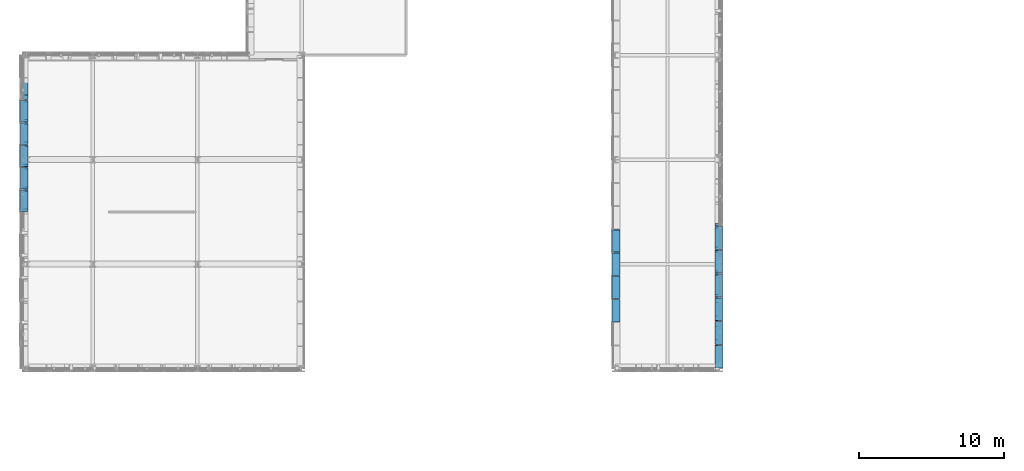
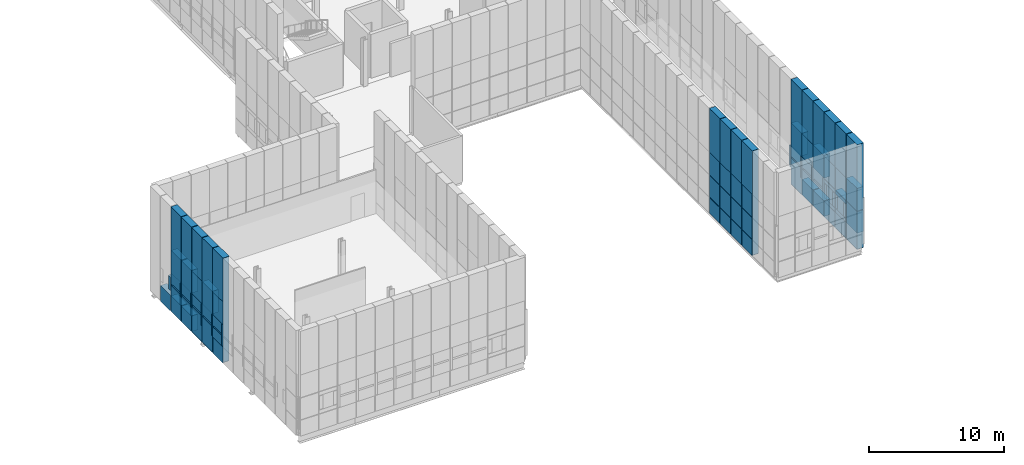
# One storey, part 109 of 144: 77 discrete accessories.
"""IFC4 building model written with IfcOpenShell, lengths in metres."""

from ifc_helpers import new_model, si_unit, direction, frame, origin, origin_2d, place, context, subcontext, project, spatial, rectangle, extrude, material, type_object, element, save


model = new_model("IFC4")

# Units and contexts
model_context = context("Model", 3, precision=1e-05, world=origin(), true_north=direction((0.0, 1.0)))
body_context = subcontext(model_context, "Body", "Model", "MODEL_VIEW")
ifc_project = project(units=[si_unit("LENGTHUNIT", "METRE"), si_unit("AREAUNIT", "SQUARE_METRE"), si_unit("VOLUMEUNIT", "CUBIC_METRE"), si_unit("PLANEANGLEUNIT", "RADIAN"), si_unit("MASSUNIT", "GRAM", prefix="KILO")], contexts=[model_context])

# Site, building, storey
site_placement = place(None, origin())
site = spatial("IfcSite", under=ifc_project, at=site_placement, CompositionType="ELEMENT")
building_placement = place(site_placement, origin())
building = spatial("IfcBuilding", under=site, at=building_placement, Name="Yarey Park Central Fire Station", CompositionType="ELEMENT")
storey_placement = place(building_placement, frame((0.0, 0.0, 10.199951171875)))
storey = spatial("IfcBuildingStorey", under=building, at=storey_placement, Name="L03", CompositionType="ELEMENT", Elevation=10.199951171875)

# Discrete accessories
ifc_material = material(Name="Stainless Steel AISI 316L", Category="steel")
discrete_accessory_type = type_object("IfcDiscreteAccessoryType", Name="ENV_BRK_SS1", PredefinedType="BRACKET", material=ifc_material)
discrete_accessory_1_placement = place(storey_placement, frame((9.64990234375, 33.17138671875, -0.494873046875), z_axis=(0.0, 0.0, 1.0), x_axis=(1.0, 0.0, 0.0)))
element("IfcDiscreteAccessory", 1, at=discrete_accessory_1_placement, inside=storey, type_object=discrete_accessory_type, Name="BRK_PERF_L03_0052", PredefinedType="BRACKET", context=body_context, shape_type="SweptSolid", body=[
    extrude(rectangle(XDim=0.5400390625, YDim=1.48291015625, at=origin_2d()), origin(), (0.0, 0.0, 1.0), 1.419921875),
])
discrete_accessory_2_placement = place(storey_placement, frame((9.64990234375, 32.510009765625, 0.97509765625), z_axis=(0.0, 0.0, 1.0), x_axis=(1.0, 0.0, 0.0)))
element("IfcDiscreteAccessory", 2, at=discrete_accessory_2_placement, inside=storey, type_object=discrete_accessory_type, Name="BRK_PERF_L03_0053", PredefinedType="BRACKET", context=body_context, shape_type="SweptSolid", body=[
    extrude(rectangle(XDim=0.5400390625, YDim=0.159912109375, at=origin_2d()), origin(), (0.0, 0.0, 1.0), 1.949951171875),
])
discrete_accessory_3_placement = place(storey_placement, frame((9.64990234375, 33.17138671875, 1.8701171875), z_axis=(0.0, 0.0, 1.0), x_axis=(1.0, 0.0, 0.0)))
element("IfcDiscreteAccessory", 3, at=discrete_accessory_3_placement, inside=storey, type_object=discrete_accessory_type, Name="BRK_PERF_L03_0054", PredefinedType="BRACKET", context=body_context, shape_type="SweptSolid", body=[
    extrude(rectangle(XDim=0.5400390625, YDim=1.282958984375, at=origin_2d()), origin(), (0.0, 0.0, 1.0), 0.159912109375),
])
discrete_accessory_4_placement = place(storey_placement, frame((9.64990234375, 33.17138671875, 2.97509765625), z_axis=(0.0, 0.0, 1.0), x_axis=(1.0, 0.0, 0.0)))
element("IfcDiscreteAccessory", 4, at=discrete_accessory_4_placement, inside=storey, type_object=discrete_accessory_type, Name="BRK_PERF_L03_0055", PredefinedType="BRACKET", context=body_context, shape_type="SweptSolid", body=[
    extrude(rectangle(XDim=0.5400390625, YDim=1.48291015625, at=origin_2d()), origin(), (0.0, 0.0, 1.0), 2.050048828125),
])
discrete_accessory_5_placement = place(storey_placement, frame((9.64990234375, 33.17138671875, -0.4599609375), z_axis=(0.0, 0.0, 1.0), x_axis=(1.0, 0.0, 0.0)))
element("IfcDiscreteAccessory", 5, at=discrete_accessory_5_placement, inside=storey, type_object=discrete_accessory_type, Name="BRK_RAIL_L03_0058", PredefinedType="BRACKET", context=body_context, shape_type="SweptSolid", body=[
    extrude(rectangle(XDim=0.5400390625, YDim=1.5029296875, at=origin_2d()), origin(), (0.0, 0.0, 1.0), 9.419921875),
])
discrete_accessory_6_placement = place(storey_placement, frame((9.64990234375, 34.71435546875, -0.494873046875), z_axis=(0.0, 0.0, 1.0), x_axis=(1.0, 0.0, 0.0)))
element("IfcDiscreteAccessory", 6, at=discrete_accessory_6_placement, inside=storey, type_object=discrete_accessory_type, Name="BRK_PERF_L03_0059", PredefinedType="BRACKET", context=body_context, shape_type="SweptSolid", body=[
    extrude(rectangle(XDim=0.5400390625, YDim=1.48291015625, at=origin_2d()), origin(), (0.0, 0.0, 1.0), 1.419921875),
])
discrete_accessory_7_placement = place(storey_placement, frame((9.64990234375, 34.052978515625, 0.97509765625), z_axis=(0.0, 0.0, 1.0), x_axis=(1.0, 0.0, 0.0)))
element("IfcDiscreteAccessory", 7, at=discrete_accessory_7_placement, inside=storey, type_object=discrete_accessory_type, Name="BRK_PERF_L03_0060", PredefinedType="BRACKET", context=body_context, shape_type="SweptSolid", body=[
    extrude(rectangle(XDim=0.5400390625, YDim=0.159912109375, at=origin_2d()), origin(), (0.0, 0.0, 1.0), 1.949951171875),
])
discrete_accessory_8_placement = place(storey_placement, frame((9.64990234375, 34.71435546875, 1.8701171875), z_axis=(0.0, 0.0, 1.0), x_axis=(1.0, 0.0, 0.0)))
element("IfcDiscreteAccessory", 8, at=discrete_accessory_8_placement, inside=storey, type_object=discrete_accessory_type, Name="BRK_PERF_L03_0061", PredefinedType="BRACKET", context=body_context, shape_type="SweptSolid", body=[
    extrude(rectangle(XDim=0.5400390625, YDim=1.282958984375, at=origin_2d()), origin(), (0.0, 0.0, 1.0), 0.159912109375),
])
discrete_accessory_9_placement = place(storey_placement, frame((9.64990234375, 34.71435546875, 2.97509765625), z_axis=(0.0, 0.0, 1.0), x_axis=(1.0, 0.0, 0.0)))
element("IfcDiscreteAccessory", 9, at=discrete_accessory_9_placement, inside=storey, type_object=discrete_accessory_type, Name="BRK_PERF_L03_0062", PredefinedType="BRACKET", context=body_context, shape_type="SweptSolid", body=[
    extrude(rectangle(XDim=0.5400390625, YDim=1.48291015625, at=origin_2d()), origin(), (0.0, 0.0, 1.0), 2.050048828125),
])
discrete_accessory_10_placement = place(storey_placement, frame((9.64990234375, 34.71435546875, -0.4599609375), z_axis=(0.0, 0.0, 1.0), x_axis=(1.0, 0.0, 0.0)))
element("IfcDiscreteAccessory", 10, at=discrete_accessory_10_placement, inside=storey, type_object=discrete_accessory_type, Name="BRK_RAIL_L03_0065", PredefinedType="BRACKET", context=body_context, shape_type="SweptSolid", body=[
    extrude(rectangle(XDim=0.5400390625, YDim=1.5029296875, at=origin_2d()), origin(), (0.0, 0.0, 1.0), 9.419921875),
])
discrete_accessory_11_placement = place(storey_placement, frame((9.64990234375, 36.257080078125, -0.494873046875), z_axis=(0.0, 0.0, 1.0), x_axis=(1.0, 0.0, 0.0)))
element("IfcDiscreteAccessory", 11, at=discrete_accessory_11_placement, inside=storey, type_object=discrete_accessory_type, Name="BRK_PERF_L03_0066", PredefinedType="BRACKET", context=body_context, shape_type="SweptSolid", body=[
    extrude(rectangle(XDim=0.5400390625, YDim=1.48291015625, at=origin_2d()), origin(), (0.0, 0.0, 1.0), 1.419921875),
])
discrete_accessory_12_placement = place(storey_placement, frame((9.64990234375, 35.595703125, 0.97509765625), z_axis=(0.0, 0.0, 1.0), x_axis=(1.0, 0.0, 0.0)))
element("IfcDiscreteAccessory", 12, at=discrete_accessory_12_placement, inside=storey, type_object=discrete_accessory_type, Name="BRK_PERF_L03_0067", PredefinedType="BRACKET", context=body_context, shape_type="SweptSolid", body=[
    extrude(rectangle(XDim=0.5400390625, YDim=0.159912109375, at=origin_2d()), origin(), (0.0, 0.0, 1.0), 1.949951171875),
])
discrete_accessory_13_placement = place(storey_placement, frame((9.64990234375, 36.257080078125, 1.8701171875), z_axis=(0.0, 0.0, 1.0), x_axis=(1.0, 0.0, 0.0)))
element("IfcDiscreteAccessory", 13, at=discrete_accessory_13_placement, inside=storey, type_object=discrete_accessory_type, Name="BRK_PERF_L03_0068", PredefinedType="BRACKET", context=body_context, shape_type="SweptSolid", body=[
    extrude(rectangle(XDim=0.5400390625, YDim=1.282958984375, at=origin_2d()), origin(), (0.0, 0.0, 1.0), 0.159912109375),
])
discrete_accessory_14_placement = place(storey_placement, frame((9.64990234375, 36.257080078125, 2.97509765625), z_axis=(0.0, 0.0, 1.0), x_axis=(1.0, 0.0, 0.0)))
element("IfcDiscreteAccessory", 14, at=discrete_accessory_14_placement, inside=storey, type_object=discrete_accessory_type, Name="BRK_PERF_L03_0069", PredefinedType="BRACKET", context=body_context, shape_type="SweptSolid", body=[
    extrude(rectangle(XDim=0.5400390625, YDim=1.48291015625, at=origin_2d()), origin(), (0.0, 0.0, 1.0), 2.050048828125),
])
discrete_accessory_15_placement = place(storey_placement, frame((9.64990234375, 36.257080078125, -0.4599609375), z_axis=(0.0, 0.0, 1.0), x_axis=(1.0, 0.0, 0.0)))
element("IfcDiscreteAccessory", 15, at=discrete_accessory_15_placement, inside=storey, type_object=discrete_accessory_type, Name="BRK_RAIL_L03_0072", PredefinedType="BRACKET", context=body_context, shape_type="SweptSolid", body=[
    extrude(rectangle(XDim=0.5400390625, YDim=1.5029296875, at=origin_2d()), origin(), (0.0, 0.0, 1.0), 9.419921875),
])
discrete_accessory_16_placement = place(storey_placement, frame((9.64990234375, 37.800048828125, -0.494873046875), z_axis=(0.0, 0.0, 1.0), x_axis=(1.0, 0.0, 0.0)))
element("IfcDiscreteAccessory", 16, at=discrete_accessory_16_placement, inside=storey, type_object=discrete_accessory_type, Name="BRK_PERF_L03_0073", PredefinedType="BRACKET", context=body_context, shape_type="SweptSolid", body=[
    extrude(rectangle(XDim=0.5400390625, YDim=1.48291015625, at=origin_2d()), origin(), (0.0, 0.0, 1.0), 1.419921875),
])
discrete_accessory_17_placement = place(storey_placement, frame((9.64990234375, 37.138671875, 0.97509765625), z_axis=(0.0, 0.0, 1.0), x_axis=(1.0, 0.0, 0.0)))
element("IfcDiscreteAccessory", 17, at=discrete_accessory_17_placement, inside=storey, type_object=discrete_accessory_type, Name="BRK_PERF_L03_0074", PredefinedType="BRACKET", context=body_context, shape_type="SweptSolid", body=[
    extrude(rectangle(XDim=0.5400390625, YDim=0.159912109375, at=origin_2d()), origin(), (0.0, 0.0, 1.0), 1.949951171875),
])
discrete_accessory_18_placement = place(storey_placement, frame((9.64990234375, 37.800048828125, 1.8701171875), z_axis=(0.0, 0.0, 1.0), x_axis=(1.0, 0.0, 0.0)))
element("IfcDiscreteAccessory", 18, at=discrete_accessory_18_placement, inside=storey, type_object=discrete_accessory_type, Name="BRK_PERF_L03_0075", PredefinedType="BRACKET", context=body_context, shape_type="SweptSolid", body=[
    extrude(rectangle(XDim=0.5400390625, YDim=1.282958984375, at=origin_2d()), origin(), (0.0, 0.0, 1.0), 0.159912109375),
])
discrete_accessory_19_placement = place(storey_placement, frame((9.64990234375, 37.800048828125, 2.97509765625), z_axis=(0.0, 0.0, 1.0), x_axis=(1.0, 0.0, 0.0)))
element("IfcDiscreteAccessory", 19, at=discrete_accessory_19_placement, inside=storey, type_object=discrete_accessory_type, Name="BRK_PERF_L03_0076", PredefinedType="BRACKET", context=body_context, shape_type="SweptSolid", body=[
    extrude(rectangle(XDim=0.5400390625, YDim=1.48291015625, at=origin_2d()), origin(), (0.0, 0.0, 1.0), 2.050048828125),
])
discrete_accessory_20_placement = place(storey_placement, frame((9.64990234375, 37.800048828125, -0.4599609375), z_axis=(0.0, 0.0, 1.0), x_axis=(1.0, 0.0, 0.0)))
element("IfcDiscreteAccessory", 20, at=discrete_accessory_20_placement, inside=storey, type_object=discrete_accessory_type, Name="BRK_RAIL_L03_0079", PredefinedType="BRACKET", context=body_context, shape_type="SweptSolid", body=[
    extrude(rectangle(XDim=0.5400390625, YDim=1.5029296875, at=origin_2d()), origin(), (0.0, 0.0, 1.0), 9.419921875),
])
discrete_accessory_21_placement = place(storey_placement, frame((9.64990234375, 39.343017578125, -0.494873046875), z_axis=(0.0, 0.0, 1.0), x_axis=(1.0, 0.0, 0.0)))
element("IfcDiscreteAccessory", 21, at=discrete_accessory_21_placement, inside=storey, type_object=discrete_accessory_type, Name="BRK_PERF_L03_0080", PredefinedType="BRACKET", context=body_context, shape_type="SweptSolid", body=[
    extrude(rectangle(XDim=0.5400390625, YDim=1.48291015625, at=origin_2d()), origin(), (0.0, 0.0, 1.0), 1.419921875),
])
discrete_accessory_22_placement = place(storey_placement, frame((9.64990234375, 38.681396484375, 0.97509765625), z_axis=(0.0, 0.0, 1.0), x_axis=(1.0, 0.0, 0.0)))
element("IfcDiscreteAccessory", 22, at=discrete_accessory_22_placement, inside=storey, type_object=discrete_accessory_type, Name="BRK_PERF_L03_0081", PredefinedType="BRACKET", context=body_context, shape_type="SweptSolid", body=[
    extrude(rectangle(XDim=0.5400390625, YDim=0.159912109375, at=origin_2d()), origin(), (0.0, 0.0, 1.0), 1.949951171875),
])
discrete_accessory_23_placement = place(storey_placement, frame((9.64990234375, 39.343017578125, 1.8701171875), z_axis=(0.0, 0.0, 1.0), x_axis=(1.0, 0.0, 0.0)))
element("IfcDiscreteAccessory", 23, at=discrete_accessory_23_placement, inside=storey, type_object=discrete_accessory_type, Name="BRK_PERF_L03_0082", PredefinedType="BRACKET", context=body_context, shape_type="SweptSolid", body=[
    extrude(rectangle(XDim=0.5400390625, YDim=1.282958984375, at=origin_2d()), origin(), (0.0, 0.0, 1.0), 0.159912109375),
])
discrete_accessory_24_placement = place(storey_placement, frame((9.64990234375, 39.343017578125, 2.97509765625), z_axis=(0.0, 0.0, 1.0), x_axis=(1.0, 0.0, 0.0)))
element("IfcDiscreteAccessory", 24, at=discrete_accessory_24_placement, inside=storey, type_object=discrete_accessory_type, Name="BRK_PERF_L03_0083", PredefinedType="BRACKET", context=body_context, shape_type="SweptSolid", body=[
    extrude(rectangle(XDim=0.5400390625, YDim=1.48291015625, at=origin_2d()), origin(), (0.0, 0.0, 1.0), 2.050048828125),
])
discrete_accessory_25_placement = place(storey_placement, frame((9.64990234375, 39.343017578125, -0.4599609375), z_axis=(0.0, 0.0, 1.0), x_axis=(1.0, 0.0, 0.0)))
element("IfcDiscreteAccessory", 25, at=discrete_accessory_25_placement, inside=storey, type_object=discrete_accessory_type, Name="BRK_RAIL_L03_0086", PredefinedType="BRACKET", context=body_context, shape_type="SweptSolid", body=[
    extrude(rectangle(XDim=0.5400390625, YDim=1.5029296875, at=origin_2d()), origin(), (0.0, 0.0, 1.0), 9.419921875),
])
discrete_accessory_26_placement = place(storey_placement, frame((9.64990234375, 40.8857421875, -0.494873046875), z_axis=(0.0, 0.0, 1.0), x_axis=(1.0, 0.0, 0.0)))
element("IfcDiscreteAccessory", 26, at=discrete_accessory_26_placement, inside=storey, type_object=discrete_accessory_type, Name="BRK_PERF_L03_0087", PredefinedType="BRACKET", context=body_context, shape_type="SweptSolid", body=[
    extrude(rectangle(XDim=0.5400390625, YDim=1.48291015625, at=origin_2d()), origin(), (0.0, 0.0, 1.0), 1.419921875),
])
discrete_accessory_27_placement = place(storey_placement, frame((9.64990234375, 40.314208984375, 1.3349609375), z_axis=(0.0, 0.0, 1.0), x_axis=(1.0, 0.0, 0.0)))
element("IfcDiscreteAccessory", 27, at=discrete_accessory_27_placement, inside=storey, type_object=discrete_accessory_type, Name="BRK_PERF_L03_0090", PredefinedType="BRACKET", context=body_context, shape_type="SweptSolid", body=[
    extrude(rectangle(XDim=0.5400390625, YDim=0.320068359375, at=origin_2d()), origin(), (0.0, 0.0, 1.0), 1.22998046875),
])
discrete_accessory_28_placement = place(storey_placement, frame((57.550048828125, 22.418212890625, -0.494873046875), z_axis=(0.0, 0.0, 1.0), x_axis=(1.0, 0.0, 0.0)))
element("IfcDiscreteAccessory", 28, at=discrete_accessory_28_placement, inside=storey, type_object=discrete_accessory_type, Name="BRK_PERF_L03_0304", PredefinedType="BRACKET", context=body_context, shape_type="SweptSolid", body=[
    extrude(rectangle(XDim=0.5400390625, YDim=1.576416015625, at=origin_2d()), origin(), (0.0, 0.0, 1.0), 1.419921875),
])
discrete_accessory_29_placement = place(storey_placement, frame((57.550048828125, 22.418212890625, 0.97509765625), z_axis=(0.0, 0.0, 1.0), x_axis=(1.0, 0.0, 0.0)))
element("IfcDiscreteAccessory", 29, at=discrete_accessory_29_placement, inside=storey, type_object=discrete_accessory_type, Name="BRK_PERF_L03_0305", PredefinedType="BRACKET", context=body_context, shape_type="SweptSolid", body=[
    extrude(rectangle(XDim=0.5400390625, YDim=1.576416015625, at=origin_2d()), origin(), (0.0, 0.0, 1.0), 1.949951171875),
])
discrete_accessory_30_placement = place(storey_placement, frame((57.550048828125, 22.418212890625, 2.97509765625), z_axis=(0.0, 0.0, 1.0), x_axis=(1.0, 0.0, 0.0)))
element("IfcDiscreteAccessory", 30, at=discrete_accessory_30_placement, inside=storey, type_object=discrete_accessory_type, Name="BRK_PERF_L03_0306", PredefinedType="BRACKET", context=body_context, shape_type="SweptSolid", body=[
    extrude(rectangle(XDim=0.5400390625, YDim=1.576416015625, at=origin_2d()), origin(), (0.0, 0.0, 1.0), 2.050048828125),
])
discrete_accessory_31_placement = place(storey_placement, frame((57.550048828125, 22.418212890625, -0.4599609375), z_axis=(0.0, 0.0, 1.0), x_axis=(1.0, 0.0, 0.0)))
element("IfcDiscreteAccessory", 31, at=discrete_accessory_31_placement, inside=storey, type_object=discrete_accessory_type, Name="BRK_RAIL_L03_0308", PredefinedType="BRACKET", context=body_context, shape_type="SweptSolid", body=[
    extrude(rectangle(XDim=0.5400390625, YDim=1.596435546875, at=origin_2d()), origin(), (0.0, 0.0, 1.0), 9.419921875),
])
discrete_accessory_32_placement = place(storey_placement, frame((57.550048828125, 24.054443359375, -0.494873046875), z_axis=(0.0, 0.0, 1.0), x_axis=(1.0, 0.0, 0.0)))
element("IfcDiscreteAccessory", 32, at=discrete_accessory_32_placement, inside=storey, type_object=discrete_accessory_type, Name="BRK_PERF_L03_0309", PredefinedType="BRACKET", context=body_context, shape_type="SweptSolid", body=[
    extrude(rectangle(XDim=0.5400390625, YDim=1.576416015625, at=origin_2d()), origin(), (0.0, 0.0, 1.0), 1.419921875),
])
for number, where, z_axis, x_axis, name in (
    (33, (57.550048828125, 24.054443359375, 0.97021484375), (0.0, 0.0, 1.0), (1.0, 0.0, 0.0), "BRK_PERF_L03_0310"),
    (34, (57.550048828125, 24.054443359375, 2.60986328125), (0.0, 0.0, 1.0), (1.0, 0.0, 0.0), "BRK_PERF_L03_0311"),
):
    element("IfcDiscreteAccessory", number, at=place(storey_placement, frame(where, z_axis=z_axis, x_axis=x_axis)), inside=storey, type_object=discrete_accessory_type, Name=name, PredefinedType="BRACKET", context=body_context, shape_type="SweptSolid", body=[
        extrude(rectangle(XDim=0.5400390625, YDim=1.576416015625, at=origin_2d()), origin(), (0.0, 0.0, 1.0), 0.320068359375),
    ])
for number, where, z_axis, x_axis, name in (
    (35, (57.550048828125, 23.436279296875, 1.3349609375), (0.0, 0.0, 1.0), (1.0, 0.0, 0.0), "BRK_PERF_L03_0312"),
    (36, (57.550048828125, 24.672607421875, 1.3349609375), (0.0, 0.0, 1.0), (1.0, 0.0, 0.0), "BRK_PERF_L03_0313"),
):
    element("IfcDiscreteAccessory", number, at=place(storey_placement, frame(where, z_axis=z_axis, x_axis=x_axis)), inside=storey, type_object=discrete_accessory_type, Name=name, PredefinedType="BRACKET", context=body_context, shape_type="SweptSolid", body=[
        extrude(rectangle(XDim=0.5400390625, YDim=0.320068359375, at=origin_2d()), origin(), (0.0, 0.0, 1.0), 1.22998046875),
    ])
discrete_accessory_33_placement = place(storey_placement, frame((57.550048828125, 24.054443359375, 2.97509765625), z_axis=(0.0, 0.0, 1.0), x_axis=(1.0, 0.0, 0.0)))
element("IfcDiscreteAccessory", 37, at=discrete_accessory_33_placement, inside=storey, type_object=discrete_accessory_type, Name="BRK_PERF_L03_0314", PredefinedType="BRACKET", context=body_context, shape_type="SweptSolid", body=[
    extrude(rectangle(XDim=0.5400390625, YDim=1.576416015625, at=origin_2d()), origin(), (0.0, 0.0, 1.0), 2.050048828125),
])
discrete_accessory_34_placement = place(storey_placement, frame((57.550048828125, 24.054443359375, -0.4599609375), z_axis=(0.0, 0.0, 1.0), x_axis=(1.0, 0.0, 0.0)))
element("IfcDiscreteAccessory", 38, at=discrete_accessory_34_placement, inside=storey, type_object=discrete_accessory_type, Name="BRK_RAIL_L03_0319", PredefinedType="BRACKET", context=body_context, shape_type="SweptSolid", body=[
    extrude(rectangle(XDim=0.5400390625, YDim=1.596435546875, at=origin_2d()), origin(), (0.0, 0.0, 1.0), 9.419921875),
])
discrete_accessory_35_placement = place(storey_placement, frame((57.550048828125, 25.69091796875, -0.494873046875), z_axis=(0.0, 0.0, 1.0), x_axis=(1.0, 0.0, 0.0)))
element("IfcDiscreteAccessory", 39, at=discrete_accessory_35_placement, inside=storey, type_object=discrete_accessory_type, Name="BRK_PERF_L03_0320", PredefinedType="BRACKET", context=body_context, shape_type="SweptSolid", body=[
    extrude(rectangle(XDim=0.5400390625, YDim=1.576416015625, at=origin_2d()), origin(), (0.0, 0.0, 1.0), 1.419921875),
])
for number, where, z_axis, x_axis, name in (
    (40, (57.550048828125, 25.69091796875, 0.97021484375), (0.0, 0.0, 1.0), (1.0, 0.0, 0.0), "BRK_PERF_L03_0321"),
    (41, (57.550048828125, 25.69091796875, 2.60986328125), (0.0, 0.0, 1.0), (1.0, 0.0, 0.0), "BRK_PERF_L03_0322"),
):
    element("IfcDiscreteAccessory", number, at=place(storey_placement, frame(where, z_axis=z_axis, x_axis=x_axis)), inside=storey, type_object=discrete_accessory_type, Name=name, PredefinedType="BRACKET", context=body_context, shape_type="SweptSolid", body=[
        extrude(rectangle(XDim=0.5400390625, YDim=1.576416015625, at=origin_2d()), origin(), (0.0, 0.0, 1.0), 0.320068359375),
    ])
for number, where, z_axis, x_axis, name in (
    (42, (57.550048828125, 25.07275390625, 1.3349609375), (0.0, 0.0, 1.0), (1.0, 0.0, 0.0), "BRK_PERF_L03_0323"),
    (43, (57.550048828125, 26.30908203125, 1.3349609375), (0.0, 0.0, 1.0), (1.0, 0.0, 0.0), "BRK_PERF_L03_0324"),
):
    element("IfcDiscreteAccessory", number, at=place(storey_placement, frame(where, z_axis=z_axis, x_axis=x_axis)), inside=storey, type_object=discrete_accessory_type, Name=name, PredefinedType="BRACKET", context=body_context, shape_type="SweptSolid", body=[
        extrude(rectangle(XDim=0.5400390625, YDim=0.320068359375, at=origin_2d()), origin(), (0.0, 0.0, 1.0), 1.22998046875),
    ])
discrete_accessory_36_placement = place(storey_placement, frame((57.550048828125, 25.69091796875, 2.97509765625), z_axis=(0.0, 0.0, 1.0), x_axis=(1.0, 0.0, 0.0)))
element("IfcDiscreteAccessory", 44, at=discrete_accessory_36_placement, inside=storey, type_object=discrete_accessory_type, Name="BRK_PERF_L03_0325", PredefinedType="BRACKET", context=body_context, shape_type="SweptSolid", body=[
    extrude(rectangle(XDim=0.5400390625, YDim=1.576416015625, at=origin_2d()), origin(), (0.0, 0.0, 1.0), 2.050048828125),
])
discrete_accessory_37_placement = place(storey_placement, frame((57.550048828125, 25.69091796875, -0.4599609375), z_axis=(0.0, 0.0, 1.0), x_axis=(1.0, 0.0, 0.0)))
element("IfcDiscreteAccessory", 45, at=discrete_accessory_37_placement, inside=storey, type_object=discrete_accessory_type, Name="BRK_RAIL_L03_0330", PredefinedType="BRACKET", context=body_context, shape_type="SweptSolid", body=[
    extrude(rectangle(XDim=0.5400390625, YDim=1.596435546875, at=origin_2d()), origin(), (0.0, 0.0, 1.0), 9.419921875),
])
discrete_accessory_38_placement = place(storey_placement, frame((57.550048828125, 27.327392578125, -0.494873046875), z_axis=(0.0, 0.0, 1.0), x_axis=(1.0, 0.0, 0.0)))
element("IfcDiscreteAccessory", 46, at=discrete_accessory_38_placement, inside=storey, type_object=discrete_accessory_type, Name="BRK_PERF_L03_0331", PredefinedType="BRACKET", context=body_context, shape_type="SweptSolid", body=[
    extrude(rectangle(XDim=0.5400390625, YDim=1.576416015625, at=origin_2d()), origin(), (0.0, 0.0, 1.0), 1.419921875),
])
discrete_accessory_39_placement = place(storey_placement, frame((57.550048828125, 26.619140625, 0.97509765625), z_axis=(0.0, 0.0, 1.0), x_axis=(1.0, 0.0, 0.0)))
element("IfcDiscreteAccessory", 47, at=discrete_accessory_39_placement, inside=storey, type_object=discrete_accessory_type, Name="BRK_PERF_L03_0332", PredefinedType="BRACKET", context=body_context, shape_type="SweptSolid", body=[
    extrude(rectangle(XDim=0.5400390625, YDim=0.159912109375, at=origin_2d()), origin(), (0.0, 0.0, 1.0), 1.949951171875),
])
discrete_accessory_40_placement = place(storey_placement, frame((57.550048828125, 27.327392578125, 1.8701171875), z_axis=(0.0, 0.0, 1.0), x_axis=(1.0, 0.0, 0.0)))
element("IfcDiscreteAccessory", 48, at=discrete_accessory_40_placement, inside=storey, type_object=discrete_accessory_type, Name="BRK_PERF_L03_0333", PredefinedType="BRACKET", context=body_context, shape_type="SweptSolid", body=[
    extrude(rectangle(XDim=0.5400390625, YDim=1.37646484375, at=origin_2d()), origin(), (0.0, 0.0, 1.0), 0.159912109375),
])
discrete_accessory_41_placement = place(storey_placement, frame((57.550048828125, 27.327392578125, 2.97509765625), z_axis=(0.0, 0.0, 1.0), x_axis=(1.0, 0.0, 0.0)))
element("IfcDiscreteAccessory", 49, at=discrete_accessory_41_placement, inside=storey, type_object=discrete_accessory_type, Name="BRK_PERF_L03_0334", PredefinedType="BRACKET", context=body_context, shape_type="SweptSolid", body=[
    extrude(rectangle(XDim=0.5400390625, YDim=1.576416015625, at=origin_2d()), origin(), (0.0, 0.0, 1.0), 2.050048828125),
])
discrete_accessory_42_placement = place(storey_placement, frame((57.550048828125, 27.327392578125, -0.4599609375), z_axis=(0.0, 0.0, 1.0), x_axis=(1.0, 0.0, 0.0)))
element("IfcDiscreteAccessory", 50, at=discrete_accessory_42_placement, inside=storey, type_object=discrete_accessory_type, Name="BRK_RAIL_L03_0337", PredefinedType="BRACKET", context=body_context, shape_type="SweptSolid", body=[
    extrude(rectangle(XDim=0.5400390625, YDim=1.596435546875, at=origin_2d()), origin(), (0.0, 0.0, 1.0), 9.419921875),
])
discrete_accessory_43_placement = place(storey_placement, frame((57.550048828125, 28.963623046875, -0.494873046875), z_axis=(0.0, 0.0, 1.0), x_axis=(1.0, 0.0, 0.0)))
element("IfcDiscreteAccessory", 51, at=discrete_accessory_43_placement, inside=storey, type_object=discrete_accessory_type, Name="BRK_PERF_L03_0338", PredefinedType="BRACKET", context=body_context, shape_type="SweptSolid", body=[
    extrude(rectangle(XDim=0.5400390625, YDim=1.576416015625, at=origin_2d()), origin(), (0.0, 0.0, 1.0), 1.419921875),
])
discrete_accessory_44_placement = place(storey_placement, frame((57.550048828125, 28.25537109375, 0.97509765625), z_axis=(0.0, 0.0, 1.0), x_axis=(1.0, 0.0, 0.0)))
element("IfcDiscreteAccessory", 52, at=discrete_accessory_44_placement, inside=storey, type_object=discrete_accessory_type, Name="BRK_PERF_L03_0339", PredefinedType="BRACKET", context=body_context, shape_type="SweptSolid", body=[
    extrude(rectangle(XDim=0.5400390625, YDim=0.159912109375, at=origin_2d()), origin(), (0.0, 0.0, 1.0), 1.949951171875),
])
discrete_accessory_45_placement = place(storey_placement, frame((57.550048828125, 28.963623046875, 1.8701171875), z_axis=(0.0, 0.0, 1.0), x_axis=(1.0, 0.0, 0.0)))
element("IfcDiscreteAccessory", 53, at=discrete_accessory_45_placement, inside=storey, type_object=discrete_accessory_type, Name="BRK_PERF_L03_0340", PredefinedType="BRACKET", context=body_context, shape_type="SweptSolid", body=[
    extrude(rectangle(XDim=0.5400390625, YDim=1.37646484375, at=origin_2d()), origin(), (0.0, 0.0, 1.0), 0.159912109375),
])
discrete_accessory_46_placement = place(storey_placement, frame((57.550048828125, 28.963623046875, 2.97509765625), z_axis=(0.0, 0.0, 1.0), x_axis=(1.0, 0.0, 0.0)))
element("IfcDiscreteAccessory", 54, at=discrete_accessory_46_placement, inside=storey, type_object=discrete_accessory_type, Name="BRK_PERF_L03_0341", PredefinedType="BRACKET", context=body_context, shape_type="SweptSolid", body=[
    extrude(rectangle(XDim=0.5400390625, YDim=1.576416015625, at=origin_2d()), origin(), (0.0, 0.0, 1.0), 2.050048828125),
])
discrete_accessory_47_placement = place(storey_placement, frame((57.550048828125, 28.963623046875, -0.4599609375), z_axis=(0.0, 0.0, 1.0), x_axis=(1.0, 0.0, 0.0)))
element("IfcDiscreteAccessory", 55, at=discrete_accessory_47_placement, inside=storey, type_object=discrete_accessory_type, Name="BRK_RAIL_L03_0344", PredefinedType="BRACKET", context=body_context, shape_type="SweptSolid", body=[
    extrude(rectangle(XDim=0.5400390625, YDim=1.596435546875, at=origin_2d()), origin(), (0.0, 0.0, 1.0), 9.419921875),
])
discrete_accessory_48_placement = place(storey_placement, frame((57.550048828125, 30.60009765625, -0.494873046875), z_axis=(0.0, 0.0, 1.0), x_axis=(1.0, 0.0, 0.0)))
element("IfcDiscreteAccessory", 56, at=discrete_accessory_48_placement, inside=storey, type_object=discrete_accessory_type, Name="BRK_PERF_L03_0345", PredefinedType="BRACKET", context=body_context, shape_type="SweptSolid", body=[
    extrude(rectangle(XDim=0.5400390625, YDim=1.576416015625, at=origin_2d()), origin(), (0.0, 0.0, 1.0), 1.419921875),
])
discrete_accessory_49_placement = place(storey_placement, frame((57.550048828125, 29.891845703125, 0.97509765625), z_axis=(0.0, 0.0, 1.0), x_axis=(1.0, 0.0, 0.0)))
element("IfcDiscreteAccessory", 57, at=discrete_accessory_49_placement, inside=storey, type_object=discrete_accessory_type, Name="BRK_PERF_L03_0346", PredefinedType="BRACKET", context=body_context, shape_type="SweptSolid", body=[
    extrude(rectangle(XDim=0.5400390625, YDim=0.159912109375, at=origin_2d()), origin(), (0.0, 0.0, 1.0), 1.949951171875),
])
discrete_accessory_50_placement = place(storey_placement, frame((57.550048828125, 30.60009765625, 1.8701171875), z_axis=(0.0, 0.0, 1.0), x_axis=(1.0, 0.0, 0.0)))
element("IfcDiscreteAccessory", 58, at=discrete_accessory_50_placement, inside=storey, type_object=discrete_accessory_type, Name="BRK_PERF_L03_0347", PredefinedType="BRACKET", context=body_context, shape_type="SweptSolid", body=[
    extrude(rectangle(XDim=0.5400390625, YDim=1.37646484375, at=origin_2d()), origin(), (0.0, 0.0, 1.0), 0.159912109375),
])
discrete_accessory_51_placement = place(storey_placement, frame((57.550048828125, 30.60009765625, 2.97509765625), z_axis=(0.0, 0.0, 1.0), x_axis=(1.0, 0.0, 0.0)))
element("IfcDiscreteAccessory", 59, at=discrete_accessory_51_placement, inside=storey, type_object=discrete_accessory_type, Name="BRK_PERF_L03_0348", PredefinedType="BRACKET", context=body_context, shape_type="SweptSolid", body=[
    extrude(rectangle(XDim=0.5400390625, YDim=1.576416015625, at=origin_2d()), origin(), (0.0, 0.0, 1.0), 2.050048828125),
])
discrete_accessory_52_placement = place(storey_placement, frame((57.550048828125, 30.60009765625, -0.4599609375), z_axis=(0.0, 0.0, 1.0), x_axis=(1.0, 0.0, 0.0)))
element("IfcDiscreteAccessory", 60, at=discrete_accessory_52_placement, inside=storey, type_object=discrete_accessory_type, Name="BRK_RAIL_L03_0351", PredefinedType="BRACKET", context=body_context, shape_type="SweptSolid", body=[
    extrude(rectangle(XDim=0.5400390625, YDim=1.596435546875, at=origin_2d()), origin(), (0.0, 0.0, 1.0), 9.419921875),
])
discrete_accessory_53_placement = place(storey_placement, frame((57.550048828125, 31.5283203125, 0.97509765625), z_axis=(0.0, 0.0, 1.0), x_axis=(1.0, 0.0, 0.0)))
element("IfcDiscreteAccessory", 61, at=discrete_accessory_53_placement, inside=storey, type_object=discrete_accessory_type, Name="BRK_PERF_L03_0353", PredefinedType="BRACKET", context=body_context, shape_type="SweptSolid", body=[
    extrude(rectangle(XDim=0.5400390625, YDim=0.159912109375, at=origin_2d()), origin(), (0.0, 0.0, 1.0), 1.949951171875),
])
discrete_accessory_54_placement = place(storey_placement, frame((50.449951171875, 25.60009765625, -0.494873046875), z_axis=(0.0, 0.0, 1.0), x_axis=(1.0, 0.0, 0.0)))
element("IfcDiscreteAccessory", 62, at=discrete_accessory_54_placement, inside=storey, type_object=discrete_accessory_type, Name="BRK_PERF_L03_0997", PredefinedType="BRACKET", context=body_context, shape_type="SweptSolid", body=[
    extrude(rectangle(XDim=0.5400390625, YDim=1.5400390625, at=origin_2d()), origin(), (0.0, 0.0, 1.0), 1.419921875),
])
discrete_accessory_55_placement = place(storey_placement, frame((50.449951171875, 25.60009765625, 0.97509765625), z_axis=(0.0, 0.0, 1.0), x_axis=(1.0, 0.0, 0.0)))
element("IfcDiscreteAccessory", 63, at=discrete_accessory_55_placement, inside=storey, type_object=discrete_accessory_type, Name="BRK_PERF_L03_0998", PredefinedType="BRACKET", context=body_context, shape_type="SweptSolid", body=[
    extrude(rectangle(XDim=0.5400390625, YDim=1.5400390625, at=origin_2d()), origin(), (0.0, 0.0, 1.0), 1.949951171875),
])
discrete_accessory_56_placement = place(storey_placement, frame((50.449951171875, 25.60009765625, 2.97509765625), z_axis=(0.0, 0.0, 1.0), x_axis=(1.0, 0.0, 0.0)))
element("IfcDiscreteAccessory", 64, at=discrete_accessory_56_placement, inside=storey, type_object=discrete_accessory_type, Name="BRK_PERF_L03_0999", PredefinedType="BRACKET", context=body_context, shape_type="SweptSolid", body=[
    extrude(rectangle(XDim=0.5400390625, YDim=1.5400390625, at=origin_2d()), origin(), (0.0, 0.0, 1.0), 2.050048828125),
])
discrete_accessory_57_placement = place(storey_placement, frame((50.449951171875, 25.60009765625, -0.4599609375), z_axis=(0.0, 0.0, 1.0), x_axis=(1.0, 0.0, 0.0)))
element("IfcDiscreteAccessory", 65, at=discrete_accessory_57_placement, inside=storey, type_object=discrete_accessory_type, Name="BRK_RAIL_L03_1001", PredefinedType="BRACKET", context=body_context, shape_type="SweptSolid", body=[
    extrude(rectangle(XDim=0.5400390625, YDim=1.56005859375, at=origin_2d()), origin(), (0.0, 0.0, 1.0), 9.419921875),
])
discrete_accessory_58_placement = place(storey_placement, frame((50.449951171875, 27.199951171875, -0.494873046875), z_axis=(0.0, 0.0, 1.0), x_axis=(1.0, 0.0, 0.0)))
element("IfcDiscreteAccessory", 66, at=discrete_accessory_58_placement, inside=storey, type_object=discrete_accessory_type, Name="BRK_PERF_L03_1002", PredefinedType="BRACKET", context=body_context, shape_type="SweptSolid", body=[
    extrude(rectangle(XDim=0.5400390625, YDim=1.5400390625, at=origin_2d()), origin(), (0.0, 0.0, 1.0), 1.419921875),
])
discrete_accessory_59_placement = place(storey_placement, frame((50.449951171875, 27.199951171875, 0.97509765625), z_axis=(0.0, 0.0, 1.0), x_axis=(1.0, 0.0, 0.0)))
element("IfcDiscreteAccessory", 67, at=discrete_accessory_59_placement, inside=storey, type_object=discrete_accessory_type, Name="BRK_PERF_L03_1003", PredefinedType="BRACKET", context=body_context, shape_type="SweptSolid", body=[
    extrude(rectangle(XDim=0.5400390625, YDim=1.5400390625, at=origin_2d()), origin(), (0.0, 0.0, 1.0), 1.949951171875),
])
discrete_accessory_60_placement = place(storey_placement, frame((50.449951171875, 27.199951171875, 2.97509765625), z_axis=(0.0, 0.0, 1.0), x_axis=(1.0, 0.0, 0.0)))
element("IfcDiscreteAccessory", 68, at=discrete_accessory_60_placement, inside=storey, type_object=discrete_accessory_type, Name="BRK_PERF_L03_1004", PredefinedType="BRACKET", context=body_context, shape_type="SweptSolid", body=[
    extrude(rectangle(XDim=0.5400390625, YDim=1.5400390625, at=origin_2d()), origin(), (0.0, 0.0, 1.0), 2.050048828125),
])
discrete_accessory_61_placement = place(storey_placement, frame((50.449951171875, 27.199951171875, -0.4599609375), z_axis=(0.0, 0.0, 1.0), x_axis=(1.0, 0.0, 0.0)))
element("IfcDiscreteAccessory", 69, at=discrete_accessory_61_placement, inside=storey, type_object=discrete_accessory_type, Name="BRK_RAIL_L03_1006", PredefinedType="BRACKET", context=body_context, shape_type="SweptSolid", body=[
    extrude(rectangle(XDim=0.5400390625, YDim=1.56005859375, at=origin_2d()), origin(), (0.0, 0.0, 1.0), 9.419921875),
])
discrete_accessory_62_placement = place(storey_placement, frame((50.449951171875, 28.800048828125, -0.494873046875), z_axis=(0.0, 0.0, 1.0), x_axis=(1.0, 0.0, 0.0)))
element("IfcDiscreteAccessory", 70, at=discrete_accessory_62_placement, inside=storey, type_object=discrete_accessory_type, Name="BRK_PERF_L03_1007", PredefinedType="BRACKET", context=body_context, shape_type="SweptSolid", body=[
    extrude(rectangle(XDim=0.5400390625, YDim=1.5400390625, at=origin_2d()), origin(), (0.0, 0.0, 1.0), 1.419921875),
])
discrete_accessory_63_placement = place(storey_placement, frame((50.449951171875, 28.800048828125, 0.97509765625), z_axis=(0.0, 0.0, 1.0), x_axis=(1.0, 0.0, 0.0)))
element("IfcDiscreteAccessory", 71, at=discrete_accessory_63_placement, inside=storey, type_object=discrete_accessory_type, Name="BRK_PERF_L03_1008", PredefinedType="BRACKET", context=body_context, shape_type="SweptSolid", body=[
    extrude(rectangle(XDim=0.5400390625, YDim=1.5400390625, at=origin_2d()), origin(), (0.0, 0.0, 1.0), 1.949951171875),
])
discrete_accessory_64_placement = place(storey_placement, frame((50.449951171875, 28.800048828125, 2.97509765625), z_axis=(0.0, 0.0, 1.0), x_axis=(1.0, 0.0, 0.0)))
element("IfcDiscreteAccessory", 72, at=discrete_accessory_64_placement, inside=storey, type_object=discrete_accessory_type, Name="BRK_PERF_L03_1009", PredefinedType="BRACKET", context=body_context, shape_type="SweptSolid", body=[
    extrude(rectangle(XDim=0.5400390625, YDim=1.5400390625, at=origin_2d()), origin(), (0.0, 0.0, 1.0), 2.050048828125),
])
discrete_accessory_65_placement = place(storey_placement, frame((50.449951171875, 28.800048828125, -0.4599609375), z_axis=(0.0, 0.0, 1.0), x_axis=(1.0, 0.0, 0.0)))
element("IfcDiscreteAccessory", 73, at=discrete_accessory_65_placement, inside=storey, type_object=discrete_accessory_type, Name="BRK_RAIL_L03_1011", PredefinedType="BRACKET", context=body_context, shape_type="SweptSolid", body=[
    extrude(rectangle(XDim=0.5400390625, YDim=1.56005859375, at=origin_2d()), origin(), (0.0, 0.0, 1.0), 9.419921875),
])
discrete_accessory_66_placement = place(storey_placement, frame((50.449951171875, 30.39990234375, -0.494873046875), z_axis=(0.0, 0.0, 1.0), x_axis=(1.0, 0.0, 0.0)))
element("IfcDiscreteAccessory", 74, at=discrete_accessory_66_placement, inside=storey, type_object=discrete_accessory_type, Name="BRK_PERF_L03_1012", PredefinedType="BRACKET", context=body_context, shape_type="SweptSolid", body=[
    extrude(rectangle(XDim=0.5400390625, YDim=1.5400390625, at=origin_2d()), origin(), (0.0, 0.0, 1.0), 1.419921875),
])
discrete_accessory_67_placement = place(storey_placement, frame((50.449951171875, 30.39990234375, 0.97509765625), z_axis=(0.0, 0.0, 1.0), x_axis=(1.0, 0.0, 0.0)))
element("IfcDiscreteAccessory", 75, at=discrete_accessory_67_placement, inside=storey, type_object=discrete_accessory_type, Name="BRK_PERF_L03_1013", PredefinedType="BRACKET", context=body_context, shape_type="SweptSolid", body=[
    extrude(rectangle(XDim=0.5400390625, YDim=1.5400390625, at=origin_2d()), origin(), (0.0, 0.0, 1.0), 1.949951171875),
])
discrete_accessory_68_placement = place(storey_placement, frame((50.449951171875, 30.39990234375, 2.97509765625), z_axis=(0.0, 0.0, 1.0), x_axis=(1.0, 0.0, 0.0)))
element("IfcDiscreteAccessory", 76, at=discrete_accessory_68_placement, inside=storey, type_object=discrete_accessory_type, Name="BRK_PERF_L03_1014", PredefinedType="BRACKET", context=body_context, shape_type="SweptSolid", body=[
    extrude(rectangle(XDim=0.5400390625, YDim=1.5400390625, at=origin_2d()), origin(), (0.0, 0.0, 1.0), 2.050048828125),
])
discrete_accessory_69_placement = place(storey_placement, frame((50.449951171875, 30.39990234375, -0.4599609375), z_axis=(0.0, 0.0, 1.0), x_axis=(1.0, 0.0, 0.0)))
element("IfcDiscreteAccessory", 77, at=discrete_accessory_69_placement, inside=storey, type_object=discrete_accessory_type, Name="BRK_RAIL_L03_1016", PredefinedType="BRACKET", context=body_context, shape_type="SweptSolid", body=[
    extrude(rectangle(XDim=0.5400390625, YDim=1.56005859375, at=origin_2d()), origin(), (0.0, 0.0, 1.0), 9.419921875),
])

save(model, "model.ifc")
